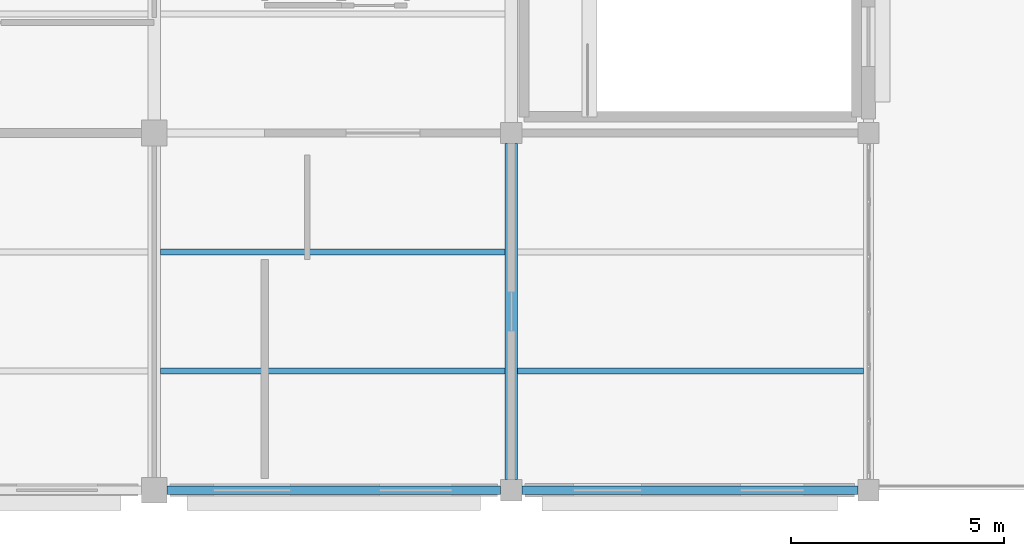
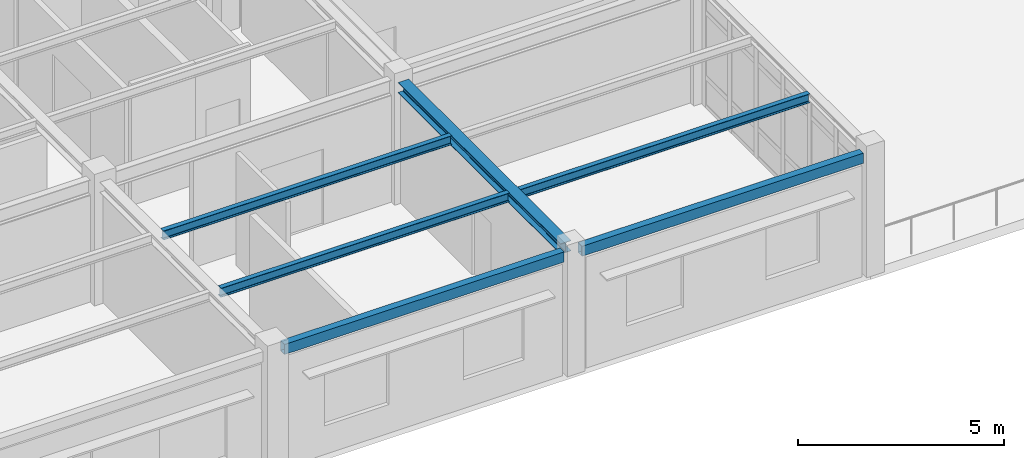
# One storey, part 9 of 70: 6 beams.
"""IFC4 building model written with IfcOpenShell, lengths in metres."""

from ifc_helpers import new_model, si_unit, direction, frame, origin, origin_2d, place, context, subcontext, project, spatial, hollow_rectangle, i_section, extrude, material, material_profile, profile_set, type_object, element, save


model = new_model("IFC4")

# Units and contexts
model_context = context("Model", 3, precision=1e-05, world=origin(), true_north=direction((0.0, 1.0)))
body_context = subcontext(model_context, "Body", "Model", "MODEL_VIEW")
ifc_project = project(units=[si_unit("LENGTHUNIT", "METRE"), si_unit("AREAUNIT", "SQUARE_METRE"), si_unit("VOLUMEUNIT", "CUBIC_METRE"), si_unit("PLANEANGLEUNIT", "RADIAN"), si_unit("MASSUNIT", "GRAM", prefix="KILO")], contexts=[model_context])

# Site, building, storey
site_placement = place(None, origin())
site = spatial("IfcSite", under=ifc_project, at=site_placement, CompositionType="ELEMENT")
building_placement = place(site_placement, origin())
building = spatial("IfcBuilding", under=site, at=building_placement, Name="Bramfleet General Hospital", CompositionType="ELEMENT")
storey_placement = place(building_placement, frame((0.0, 0.0, 22.5)))
storey = spatial("IfcBuildingStorey", under=building, at=storey_placement, Name="L05", CompositionType="ELEMENT", Elevation=22.5)

# Beams
ifc_material = material(Name="Steel S355", Category="steel")
ifc_material_profile_1 = material_profile(ifc_material, i_section(OverallWidth=0.300048828125, OverallDepth=0.31005859375, WebThickness=0.009033203125, FlangeThickness=0.015380859375, FilletRadius=0.027099609375, at=origin_2d()), Name="HEA 320")
ifc_profile_set_1 = profile_set([ifc_material_profile_1], Name="Steel S355")
beam_type_1 = type_object("IfcBeamType", Name="BM-HEA320", PredefinedType="BEAM", material=ifc_profile_set_1)
beam_1_placement = place(storey_placement, frame((142.800048828125, 0.25, 3.455078125), z_axis=(0.0, 1.0, 0.0), x_axis=(-1.0, 0.0, 0.0)))
element("IfcBeam", 1, at=beam_1_placement, inside=storey, type_object=beam_type_1, Name="L05 Grid Beam Y 17-00", PredefinedType="BEAM", context=body_context, shape_type="SweptSolid", body=[
    extrude(i_section(OverallWidth=0.300048828125, OverallDepth=0.31005859375, WebThickness=0.009033203125, FlangeThickness=0.015380859375, FilletRadius=0.027099609375, at=origin_2d()), origin(), (0.0, 0.0, 1.0), 7.89990234375),
])
ifc_material_profile_2 = material_profile(ifc_material, i_section(OverallWidth=0.135009765625, OverallDepth=0.27001953125, WebThickness=0.006591796875, FlangeThickness=0.01025390625, FilletRadius=0.014892578125, at=origin_2d()), Name="IPE 270")
ifc_profile_set_2 = profile_set([ifc_material_profile_2], Name="Steel S355")
beam_type_2 = type_object("IfcBeamType", Name="BM-IPE270", PredefinedType="JOIST", material=ifc_profile_set_2)
for number, where, z_axis, x_axis, name in (
    (2, (134.550048828125, 2.800048828125, 3.485107421875), (1.0, 0.0, 0.0), (0.0, 1.0, 0.0), "L05 Secondary Joist 16-00-1"),
    (3, (134.550048828125, 5.60009765625, 3.485107421875), (1.0, 0.0, 0.0), (0.0, 1.0, 0.0), "L05 Secondary Joist 16-00-2"),
):
    element("IfcBeam", number, at=place(storey_placement, frame(where, z_axis=z_axis, x_axis=x_axis)), inside=storey, type_object=beam_type_2, Name=name, PredefinedType="JOIST", context=body_context, shape_type="SweptSolid", body=[
        extrude(i_section(OverallWidth=0.135009765625, OverallDepth=0.27001953125, WebThickness=0.006591796875, FlangeThickness=0.01025390625, FilletRadius=0.014892578125, at=origin_2d()), origin(), (0.0, 0.0, 1.0), 8.099853515625),
    ])
beam_2_placement = place(storey_placement, frame((142.949951171875, 2.800048828125, 3.47509765625), z_axis=(1.0, 0.0, 0.0), x_axis=(0.0, 1.0, 0.0)))
element("IfcBeam", 4, at=beam_2_placement, inside=storey, type_object=beam_type_2, Name="L05 Secondary Joist 17-00-1", PredefinedType="JOIST", context=body_context, shape_type="SweptSolid", body=[
    extrude(i_section(OverallWidth=0.135009765625, OverallDepth=0.27001953125, WebThickness=0.006591796875, FlangeThickness=0.01025390625, FilletRadius=0.014892578125, at=origin_2d()), origin(), (0.0, 0.0, 1.0), 8.130126953125),
])
ifc_material_profile_3 = material_profile(ifc_material, hollow_rectangle(XDim=0.199951171875, YDim=0.300048828125, WallThickness=0.012451171875, at=origin_2d()), Name="RHS 300x200x12.5")
ifc_profile_set_3 = profile_set([ifc_material_profile_3], Name="Steel S355")
beam_type_3 = type_object("IfcBeamType", Name="BM-RHS300", PredefinedType="SPANDREL", material=ifc_profile_set_3)
beam_3_placement = place(storey_placement, frame((134.699951171875, 0.0, 3.469970703125), z_axis=(1.0, 0.0, 0.0), x_axis=(0.0, 1.0, 0.0)))
element("IfcBeam", 5, at=beam_3_placement, inside=storey, type_object=beam_type_3, Name="L05 Grid Beam X 16-00", PredefinedType="SPANDREL", context=body_context, shape_type="SweptSolid", body=[
    extrude(hollow_rectangle(XDim=0.199951171875, YDim=0.300048828125, WallThickness=0.012451171875, at=origin_2d()), origin(), (0.0, 0.0, 1.0), 7.85009765625),
])
beam_4_placement = place(storey_placement, frame((143.050048828125, 0.0, 3.4599609375), z_axis=(1.0, 0.0, 0.0), x_axis=(0.0, 1.0, 0.0)))
element("IfcBeam", 6, at=beam_4_placement, inside=storey, type_object=beam_type_3, Name="L05 Grid Beam X 17-00", PredefinedType="SPANDREL", context=body_context, shape_type="SweptSolid", body=[
    extrude(hollow_rectangle(XDim=0.199951171875, YDim=0.300048828125, WallThickness=0.012451171875, at=origin_2d()), origin(), (0.0, 0.0, 1.0), 7.89990234375),
])

save(model, "model.ifc")
